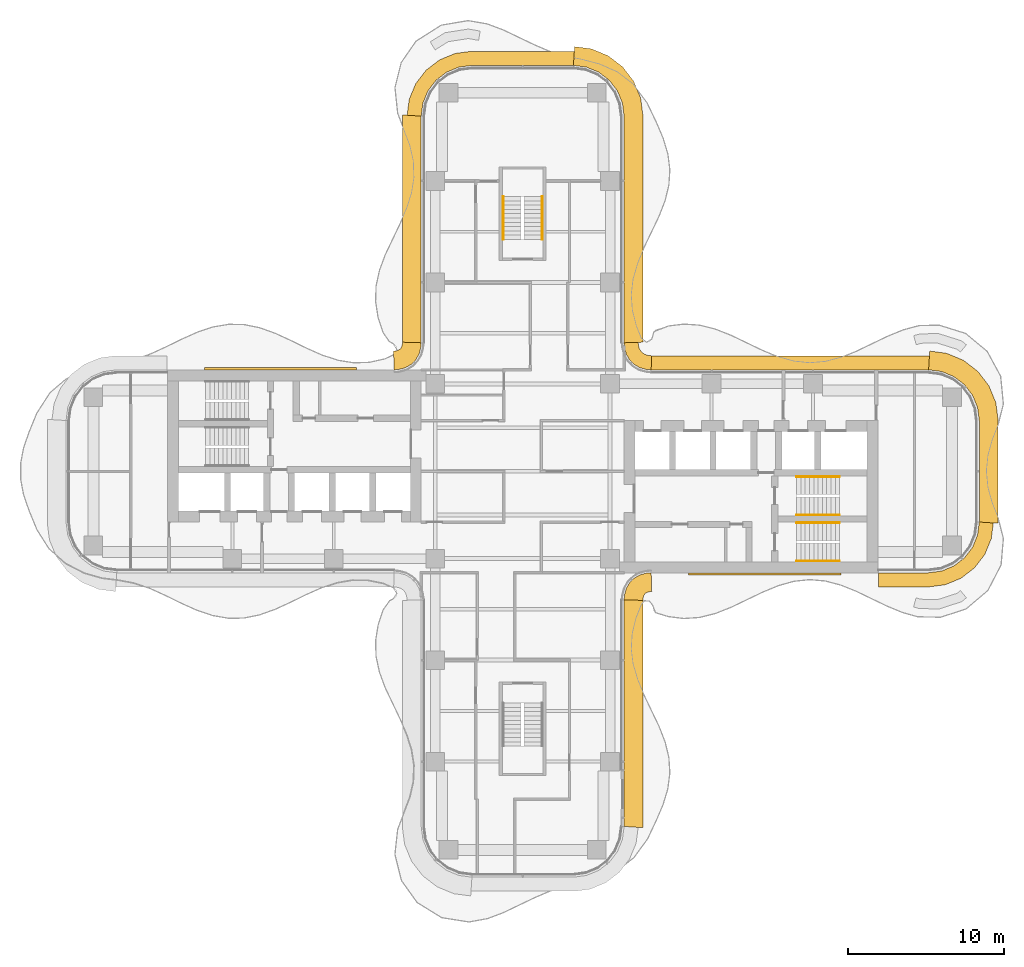
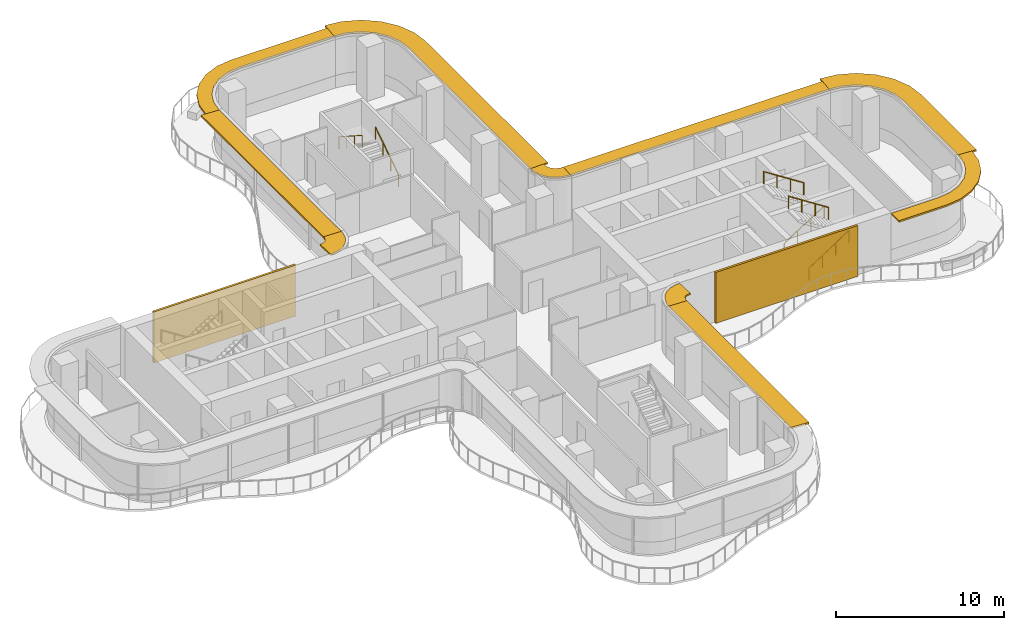
# One storey, part 18 of 18: 10 shading devices, 6 railings, 2 coverings.
"""IFC4 building model written with IfcOpenShell, lengths in metres."""

from ifc_helpers import new_model, si_unit, direction, frame, origin, origin_2d, place, context, subcontext, project, spatial, polyline, circle, outline, extrude, source, transform, mapped, material, layer, layer_set, type_object, element, save


model = new_model("IFC4")

# Units and contexts
model_context = context("Model", 3, precision=1e-05, world=origin(), true_north=direction((0.0, 1.0)))
body_context = subcontext(model_context, "Body", "Model", "MODEL_VIEW")
ifc_project = project(units=[si_unit("LENGTHUNIT", "METRE"), si_unit("AREAUNIT", "SQUARE_METRE"), si_unit("VOLUMEUNIT", "CUBIC_METRE"), si_unit("PLANEANGLEUNIT", "RADIAN"), si_unit("MASSUNIT", "GRAM", prefix="KILO")], contexts=[model_context])

# Site, building, storey
site_placement = place(None, origin())
site = spatial("IfcSite", under=ifc_project, at=site_placement, CompositionType="ELEMENT")
building_placement = place(site_placement, origin())
building = spatial("IfcBuilding", under=site, at=building_placement, Name="Trellis Farm Tower", CompositionType="ELEMENT")
storey_placement = place(building_placement, frame((0.0, 0.0, 169.800048828125)))
storey = spatial("IfcBuildingStorey", under=building, at=storey_placement, Name="L36", CompositionType="ELEMENT", Elevation=169.800048828125)

# Railings
ifc_material_1 = material(Name="Stainless steel", Category="steel")
railing_type = type_object("IfcRailingType", Name="STAIR HANDRAIL 900", PredefinedType="HANDRAIL", material=ifc_material_1)
shared_shape_1 = source(origin(), body_context, "Body", "SweptSolid", [
    extrude(circle(Radius=0.02392578125, at=origin_2d()), frame((0.0, 0.0, 0.8759765625), z_axis=(0.0, 0.840503830235, 0.541805602924), x_axis=(-1.0, 0.0, 0.0)), (0.0, 0.0, 1.0), 3.271728515625),
    extrude(circle(Radius=0.02099609375, at=origin_2d()), origin(), (0.0, 0.0, 1.0), 0.851806640625),
    extrude(circle(Radius=0.02099609375, at=origin_2d()), frame((0.0, 0.916748046875, 0.5908203125)), (0.0, 0.0, 1.0), 0.851806640625),
    extrude(circle(Radius=0.02099609375, at=origin_2d()), frame((0.0, 1.833251953125, 1.181884765625)), (0.0, 0.0, 1.0), 0.851806640625),
    extrude(circle(Radius=0.02099609375, at=origin_2d()), frame((0.0, 2.75, 1.772705078125)), (0.0, 0.0, 1.0), 0.851806640625),
])
railing_1_placement = place(storey_placement, frame((1.25, 14.85009765625, 0.17724609375)))
element("IfcRailing", 1, at=railing_1_placement, inside=storey, type_object=railing_type, Name="Stair handrail", PredefinedType="HANDRAIL", context=body_context, shape_type="MappedRepresentation", body=[
    mapped(shared_shape_1, transform((0.0, 0.0, 0.0))),
])
shared_shape_2 = source(origin(), body_context, "Body", "SweptSolid", [
    extrude(circle(Radius=0.02392578125, at=origin_2d()), frame((0.0, 0.0, 0.8759765625), z_axis=(0.0, -0.840503830235, 0.541805602924), x_axis=(1.0, 0.0, 0.0)), (0.0, 0.0, 1.0), 3.271728515625),
    extrude(circle(Radius=0.02099609375, at=origin_2d()), origin(), (0.0, 0.0, 1.0), 0.851806640625),
    extrude(circle(Radius=0.02099609375, at=origin_2d()), frame((0.0, -0.916748046875, 0.5908203125)), (0.0, 0.0, 1.0), 0.851806640625),
    extrude(circle(Radius=0.02099609375, at=origin_2d()), frame((0.0, -1.833251953125, 1.181884765625)), (0.0, 0.0, 1.0), 0.851806640625),
    extrude(circle(Radius=0.02099609375, at=origin_2d()), frame((0.0, -2.75, 1.772705078125)), (0.0, 0.0, 1.0), 0.851806640625),
])
railing_2_placement = place(storey_placement, frame((-1.25, 17.60009765625, 2.127197265625)))
element("IfcRailing", 2, at=railing_2_placement, inside=storey, type_object=railing_type, Name="Stair handrail", PredefinedType="HANDRAIL", context=body_context, shape_type="MappedRepresentation", body=[
    mapped(shared_shape_2, transform((0.0, 0.0, 0.0))),
])
shared_shape_3 = source(origin(), body_context, "Body", "SweptSolid", [
    extrude(circle(Radius=0.02392578125, at=origin_2d()), frame((0.0, 0.0, 0.8759765625), z_axis=(0.840503830235, 0.0, 0.541805602924), x_axis=(0.0, 1.0, 0.0)), (0.0, 0.0, 1.0), 3.271728515625),
    extrude(circle(Radius=0.02099609375, at=origin_2d()), origin(), (0.0, 0.0, 1.0), 0.851806640625),
    extrude(circle(Radius=0.02099609375, at=origin_2d()), frame((0.916748046875, 0.0, 0.5908203125)), (0.0, 0.0, 1.0), 0.851806640625),
    extrude(circle(Radius=0.02099609375, at=origin_2d()), frame((1.833251953125, 0.0, 1.181884765625)), (0.0, 0.0, 1.0), 0.851806640625),
    extrude(circle(Radius=0.02099609375, at=origin_2d()), frame((2.75, 0.0, 1.772705078125)), (0.0, 0.0, 1.0), 0.851806640625),
])
for number, where, name in (
    (3, (17.550048828125, -5.75, 0.17724609375), "Stair handrail"),
    (4, (17.550048828125, -2.800048828125, 0.17724609375), "Stair handrail"),
):
    element("IfcRailing", number, at=place(storey_placement, frame(where)), inside=storey, type_object=railing_type, Name=name, PredefinedType="HANDRAIL", context=body_context, shape_type="MappedRepresentation", body=[
        mapped(shared_shape_3, transform((0.0, 0.0, 0.0))),
    ])
shared_shape_4 = source(origin(), body_context, "Body", "SweptSolid", [
    extrude(circle(Radius=0.02392578125, at=origin_2d()), frame((0.0, 0.0, 0.8759765625), z_axis=(-0.840503830235, 0.0, 0.541805602924), x_axis=(0.0, -1.0, 0.0)), (0.0, 0.0, 1.0), 3.271728515625),
    extrude(circle(Radius=0.02099609375, at=origin_2d()), origin(), (0.0, 0.0, 1.0), 0.851806640625),
    extrude(circle(Radius=0.02099609375, at=origin_2d()), frame((-0.916748046875, 0.0, 0.5908203125)), (0.0, 0.0, 1.0), 0.851806640625),
    extrude(circle(Radius=0.02099609375, at=origin_2d()), frame((-1.833251953125, 0.0, 1.181884765625)), (0.0, 0.0, 1.0), 0.851806640625),
    extrude(circle(Radius=0.02099609375, at=origin_2d()), frame((-2.75, 0.0, 1.772705078125)), (0.0, 0.0, 1.0), 0.851806640625),
])
for number, where, name in (
    (5, (20.300048828125, -3.300048828125, 2.127197265625), "Stair handrail"),
    (6, (20.300048828125, -0.35009765625, 2.127197265625), "Stair handrail"),
):
    element("IfcRailing", number, at=place(storey_placement, frame(where)), inside=storey, type_object=railing_type, Name=name, PredefinedType="HANDRAIL", context=body_context, shape_type="MappedRepresentation", body=[
        mapped(shared_shape_4, transform((0.0, 0.0, 0.0))),
    ])

# Shading devices
ifc_material_2 = material(Name="Aluminium extrusion 6063-T6", Category="aluminium")
ifc_layer_1 = layer(ifc_material_2, 0.1201171875)
ifc_layer_set_1 = layer_set([ifc_layer_1], Name="SUNSHADE BLADE 1200")
shading_device_type_1 = type_object("IfcShadingDeviceType", Name="SUNSHADE BLADE 1200", PredefinedType="USERDEFINED", material=ifc_layer_set_1)
shared_shape_5 = source(origin(), body_context, "Body", "SweptSolid", [
    extrude(outline(polyline([(7.699951171875, -8.270751953125), (7.708740234375, -8.13720703125), (7.70703125, -8.150146484375), (7.7548828125, -7.9716796875), (7.80712890625, -7.881103515625), (7.881103515625, -7.80712890625), (7.9716796875, -7.7548828125), (8.150146484375, -7.70703125), (8.13720703125, -7.708740234375), (8.270751953125, -7.699951171875), (8.2314453125, -6.5), (8.01953125, -6.513916015625), (7.91552734375, -6.527587890625), (7.508544921875, -6.63671875), (7.144287109375, -6.846923828125), (6.846923828125, -7.144287109375), (6.63671875, -7.508544921875), (6.527587890625, -7.91552734375), (6.513916015625, -8.01953125), (6.5, -8.2314453125), (7.699951171875, -8.270751953125)])), origin(), (0.0, 0.0, 1.0), 0.119873046875),
])
placement_1 = place(storey_placement, frame((0.0, 0.0, 3.5400390625)))
element("IfcShadingDevice", 7, at=placement_1, inside=storey, type_object=shading_device_type_1, Name="SD2 006", ObjectType="SUNSHADE", PredefinedType="USERDEFINED", context=body_context, shape_type="MappedRepresentation", body=[
    mapped(shared_shape_5, transform((0.0, 0.0, 0.0))),
])
ifc_layer_2 = layer(ifc_material_2, 0.1201171875)
ifc_layer_set_2 = layer_set([ifc_layer_2], Name="SUNSHADE BLADE 900")
shading_device_type_2 = type_object("IfcShadingDeviceType", Name="SUNSHADE BLADE 900", PredefinedType="USERDEFINED", material=ifc_layer_set_2)
shared_shape_6 = source(origin(), body_context, "Body", "SweptSolid", [
    extrude(outline(polyline([(8.2607421875, 7.39990234375), (8.107666015625, 7.409912109375), (8.091552734375, 7.412109375), (7.85595703125, 7.475341796875), (7.697021484375, 7.567138671875), (7.567138671875, 7.697021484375), (7.475341796875, 7.85595703125), (7.412109375, 8.091552734375), (7.409912109375, 8.107666015625), (7.39990234375, 8.2607421875), (6.5, 8.2314453125), (6.513916015625, 8.01953125), (6.527587890625, 7.91552734375), (6.63671875, 7.508544921875), (6.846923828125, 7.144287109375), (7.144287109375, 6.846923828125), (7.508544921875, 6.63671875), (7.91552734375, 6.527587890625), (8.01953125, 6.513916015625), (8.2314453125, 6.5), (8.2607421875, 7.39990234375)])), origin(), (0.0, 0.0, 1.0), 0.119873046875),
])
element("IfcShadingDevice", 8, at=placement_1, inside=storey, type_object=shading_device_type_2, Name="SD1 010", ObjectType="SUNSHADE", PredefinedType="USERDEFINED", context=body_context, shape_type="MappedRepresentation", body=[
    mapped(shared_shape_6, transform((0.0, 0.0, 0.0))),
])
shared_shape_7 = source(origin(), body_context, "Body", "SweptSolid", [
    extrude(outline(polyline([(-7.699951171875, 8.270751953125), (-7.708740234375, 8.13720703125), (-7.70703125, 8.150146484375), (-7.7548828125, 7.9716796875), (-7.80712890625, 7.881103515625), (-7.881103515625, 7.80712890625), (-7.9716796875, 7.7548828125), (-8.150146484375, 7.70703125), (-8.13720703125, 7.708740234375), (-8.270751953125, 7.699951171875), (-8.2314453125, 6.5), (-8.01953125, 6.513916015625), (-7.91552734375, 6.527587890625), (-7.508544921875, 6.63671875), (-7.144287109375, 6.846923828125), (-6.846923828125, 7.144287109375), (-6.63671875, 7.508544921875), (-6.527587890625, 7.91552734375), (-6.513916015625, 8.01953125), (-6.5, 8.2314453125), (-7.699951171875, 8.270751953125)])), origin(), (0.0, 0.0, 1.0), 0.119873046875),
])
element("IfcShadingDevice", 9, at=placement_1, inside=storey, type_object=shading_device_type_1, Name="SD2 014", ObjectType="SUNSHADE", PredefinedType="USERDEFINED", context=body_context, shape_type="MappedRepresentation", body=[
    mapped(shared_shape_7, transform((0.0, 0.0, 0.0))),
])
shared_shape_8 = source(origin(), body_context, "Body", "SweptSolid", [
    extrude(outline(polyline([(7.699951171875, 8.270751953125), (7.699951171875, 22.82861328125), (7.558349609375, 23.904541015625), (7.11279296875, 24.980224609375), (6.404052734375, 25.904052734375), (5.480224609375, 26.61279296875), (4.404541015625, 27.058349609375), (3.32861328125, 27.199951171875), (3.25, 26.0), (4.091064453125, 25.88916015625), (4.875, 25.564697265625), (5.548095703125, 25.048095703125), (6.064697265625, 24.375), (6.38916015625, 23.591064453125), (6.5, 22.75), (6.5, 8.2314453125), (7.699951171875, 8.270751953125)])), origin(), (0.0, 0.0, 1.0), 0.119873046875),
])
element("IfcShadingDevice", 10, at=placement_1, inside=storey, type_object=shading_device_type_1, Name="SD2 011", ObjectType="SUNSHADE", PredefinedType="USERDEFINED", context=body_context, shape_type="MappedRepresentation", body=[
    mapped(shared_shape_8, transform((0.0, 0.0, 0.0))),
])
shared_shape_9 = source(origin(), body_context, "Body", "SweptSolid", [
    extrude(outline(polyline([(3.30908203125, 26.89990234375), (-3.30908203125, 26.89990234375), (-4.326171875, 26.76611328125), (-5.328857421875, 26.350830078125), (-6.18994140625, 25.68994140625), (-6.850830078125, 24.828857421875), (-7.26611328125, 23.826171875), (-7.39990234375, 22.80908203125), (-6.5, 22.75), (-6.38916015625, 23.591064453125), (-6.064697265625, 24.375), (-5.548095703125, 25.048095703125), (-4.875, 25.564697265625), (-4.091064453125, 25.88916015625), (-3.25, 26.0), (3.25, 26.0), (3.30908203125, 26.89990234375)])), origin(), (0.0, 0.0, 1.0), 0.119873046875),
])
element("IfcShadingDevice", 11, at=placement_1, inside=storey, type_object=shading_device_type_2, Name="SD1 012", ObjectType="SUNSHADE", PredefinedType="USERDEFINED", context=body_context, shape_type="MappedRepresentation", body=[
    mapped(shared_shape_9, transform((0.0, 0.0, 0.0))),
])
shared_shape_10 = source(origin(), body_context, "Body", "SweptSolid", [
    extrude(outline(polyline([(-7.699951171875, 22.82861328125), (-7.699951171875, 8.270751953125), (-6.5, 8.2314453125), (-6.5, 22.75), (-7.699951171875, 22.82861328125)])), origin(), (0.0, 0.0, 1.0), 0.119873046875),
])
element("IfcShadingDevice", 12, at=placement_1, inside=storey, type_object=shading_device_type_1, Name="SD2 013", ObjectType="SUNSHADE", PredefinedType="USERDEFINED", context=body_context, shape_type="MappedRepresentation", body=[
    mapped(shared_shape_10, transform((0.0, 0.0, 0.0))),
])
shared_shape_11 = source(origin(), body_context, "Body", "SweptSolid", [
    extrude(outline(polyline([(22.780029296875, -7.39990234375), (26.05908203125, -7.39990234375), (27.076171875, -7.26611328125), (28.078857421875, -6.850830078125), (28.93994140625, -6.18994140625), (29.600830078125, -5.328857421875), (30.01611328125, -4.326171875), (30.14990234375, -3.30908203125), (29.25, -3.25), (29.13916015625, -4.091064453125), (28.814697265625, -4.875), (28.298095703125, -5.548095703125), (27.625, -6.064697265625), (26.841064453125, -6.38916015625), (26.0, -6.5), (22.780029296875, -6.5), (22.780029296875, -7.39990234375)])), origin(), (0.0, 0.0, 1.0), 0.119873046875),
])
element("IfcShadingDevice", 13, at=placement_1, inside=storey, type_object=shading_device_type_2, Name="SD1 007", ObjectType="SUNSHADE", PredefinedType="USERDEFINED", context=body_context, shape_type="MappedRepresentation", body=[
    mapped(shared_shape_11, transform((0.0, 0.0, 0.0))),
])
shared_shape_12 = source(origin(), body_context, "Body", "SweptSolid", [
    extrude(outline(polyline([(30.449951171875, -3.32861328125), (30.449951171875, 3.32861328125), (30.308349609375, 4.404541015625), (29.86279296875, 5.480224609375), (29.154052734375, 6.404052734375), (28.230224609375, 7.11279296875), (27.154541015625, 7.558349609375), (26.07861328125, 7.699951171875), (26.0, 6.5), (26.841064453125, 6.38916015625), (27.625, 6.064697265625), (28.298095703125, 5.548095703125), (28.814697265625, 4.875), (29.13916015625, 4.091064453125), (29.25, 3.25), (29.25, -3.25), (30.449951171875, -3.32861328125)])), origin(), (0.0, 0.0, 1.0), 0.119873046875),
])
element("IfcShadingDevice", 14, at=placement_1, inside=storey, type_object=shading_device_type_1, Name="SD2 008", ObjectType="SUNSHADE", PredefinedType="USERDEFINED", context=body_context, shape_type="MappedRepresentation", body=[
    mapped(shared_shape_12, transform((0.0, 0.0, 0.0))),
])
shared_shape_13 = source(origin(), body_context, "Body", "SweptSolid", [
    extrude(outline(polyline([(26.05908203125, 7.39990234375), (8.2607421875, 7.39990234375), (8.2314453125, 6.5), (26.0, 6.5), (26.05908203125, 7.39990234375)])), origin(), (0.0, 0.0, 1.0), 0.119873046875),
])
element("IfcShadingDevice", 15, at=placement_1, inside=storey, type_object=shading_device_type_2, Name="SD1 009", ObjectType="SUNSHADE", PredefinedType="USERDEFINED", context=body_context, shape_type="MappedRepresentation", body=[
    mapped(shared_shape_13, transform((0.0, 0.0, 0.0))),
])
shared_shape_14 = source(origin(), body_context, "Body", "SweptSolid", [
    extrude(outline(polyline([(7.699951171875, -22.82861328125), (7.699951171875, -8.270751953125), (6.5, -8.2314453125), (6.5, -22.75), (7.699951171875, -22.82861328125)])), origin(), (0.0, 0.0, 1.0), 0.119873046875),
])
element("IfcShadingDevice", 16, at=placement_1, inside=storey, type_object=shading_device_type_1, Name="SD2 005", ObjectType="SUNSHADE", PredefinedType="USERDEFINED", context=body_context, shape_type="MappedRepresentation", body=[
    mapped(shared_shape_14, transform((0.0, 0.0, 0.0))),
])

# Coverings
ifc_material_3 = material(Name="Perforated precast screen (cobogo)", Category="concrete")
ifc_layer_3 = layer(ifc_material_3, 0.14990234375)
ifc_layer_set_3 = layer_set([ifc_layer_3], Name="COBOGO SCREEN PANEL")
covering_type = type_object("IfcCoveringType", Name="COBOGO SCREEN PANEL", PredefinedType="USERDEFINED", material=ifc_layer_set_3)
shared_shape_15 = source(origin(), body_context, "Body", "SweptSolid", [
    extrude(outline(polyline([(10.630615234375, -6.64990234375), (20.380615234375, -6.64990234375), (20.380615234375, -6.5), (10.630615234375, -6.5), (10.630615234375, -6.64990234375)])), origin(), (0.0, 0.0, 1.0), 3.699951171875),
])
placement_2 = place(storey_placement, origin())
element("IfcCovering", 17, at=placement_2, inside=storey, type_object=covering_type, Name="SC1 01", ObjectType="SCREEN", PredefinedType="USERDEFINED", context=body_context, shape_type="MappedRepresentation", body=[
    mapped(shared_shape_15, transform((0.0, 0.0, 0.0))),
])
shared_shape_16 = source(origin(), body_context, "Body", "SweptSolid", [
    extrude(outline(polyline([(-10.630615234375, 6.64990234375), (-20.380615234375, 6.64990234375), (-20.380615234375, 6.5), (-10.630615234375, 6.5), (-10.630615234375, 6.64990234375)])), origin(), (0.0, 0.0, 1.0), 3.699951171875),
])
element("IfcCovering", 18, at=placement_2, inside=storey, type_object=covering_type, Name="SC1 02", ObjectType="SCREEN", PredefinedType="USERDEFINED", context=body_context, shape_type="MappedRepresentation", body=[
    mapped(shared_shape_16, transform((0.0, 0.0, 0.0))),
])

save(model, "model.ifc")
